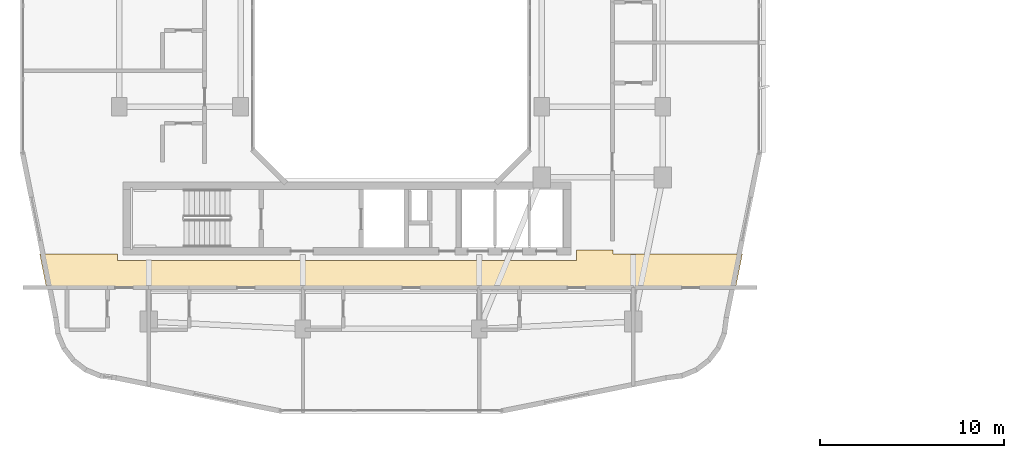
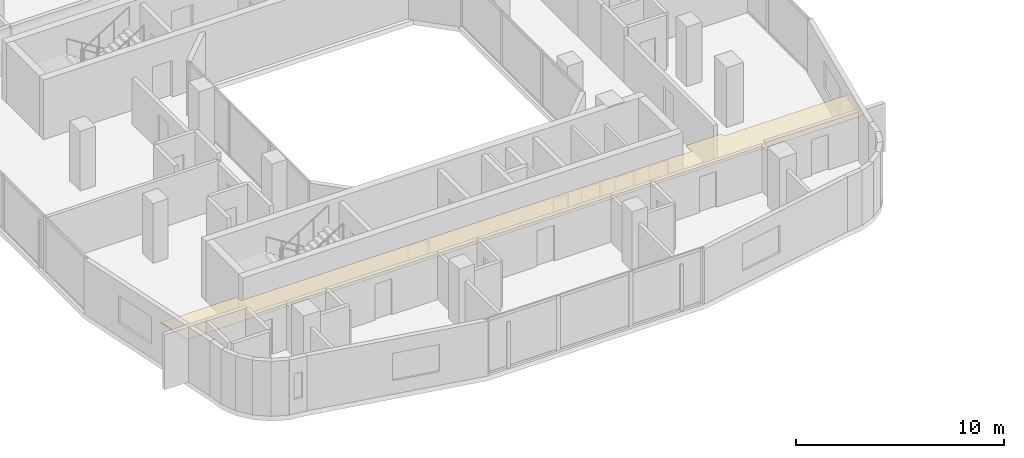
# One storey, part 23 of 26: 1 covering.
"""IFC4 building model written with IfcOpenShell, lengths in metres."""

import ifcopenshell
import ifcopenshell.guid

model = None  # the IFC model being written
_history = None  # IfcOwnerHistory: only IFC2X3 demands one
_inside = {}  # id of a spatial element -> (the spatial element, [elements in it])
_under = {}  # id of a project, library or spatial element -> (it, [spatial elements below it])
_declared = {}  # id of a project -> (the project, [libraries it declares])
_typed = {}  # id of a type object -> (the type object, [elements of that type])
_made_of = {}  # id of a material, layer set ... -> (it, [elements and type objects made of it])


def new_model(schema):
    """Start an empty IFC model of exactly this schema.

    Asked for "IFC4X3", IfcOpenShell would pick the latest addendum, in which some entities
    have other attributes; the version numbers below select the first issue.
    IFC2X3 requires an IfcOwnerHistory on every rooted entity: one is made here for all.
    """
    global model, _history
    if schema == "IFC4X3":
        model = ifcopenshell.file(schema_version=(4, 3, 0, 0))
    else:
        model = ifcopenshell.file(schema=schema)
    _inside.clear()
    _under.clear()
    _declared.clear()
    _typed.clear()
    _made_of.clear()
    _history = None
    if model.schema == "IFC2X3":
        org = make("IfcOrganization", Name="unknown")
        user = make(
            "IfcPersonAndOrganization",
            ThePerson=make("IfcPerson", FamilyName="unknown"),
            TheOrganization=org,
        )
        app = make(
            "IfcApplication",
            ApplicationDeveloper=org,
            Version="unknown",
            ApplicationFullName="unknown",
            ApplicationIdentifier="unknown",
        )
        _history = make(
            "IfcOwnerHistory",
            OwningUser=user,
            OwningApplication=app,
            ChangeAction="ADDED",
            CreationDate=0,
        )
    return model


def make(cls, **values):
    """One entity of the class cls with the attributes given. An attribute that is None is left unset."""
    return model.create_entity(
        cls, **{name: value for name, value in values.items() if value is not None}
    )


def rooted(cls, **values):
    """An entity with a GlobalId (a new one), such as an element, a storey or a relation."""
    return make(cls, GlobalId=ifcopenshell.guid.new(), OwnerHistory=_history, **values)


def si_unit(unit_type, name, prefix=None):
    """IfcSIUnit, for example si_unit("LENGTHUNIT", "METRE", prefix="MILLI")."""
    return make("IfcSIUnit", UnitType=unit_type, Prefix=prefix, Name=name)


def derived_unit(unit_type, elements):
    """IfcDerivedUnit: a product of units, each with its exponent."""
    return make(
        "IfcDerivedUnit",
        Elements=[
            make("IfcDerivedUnitElement", Unit=unit, Exponent=power)
            for unit, power in elements
        ],
        UnitType=unit_type,
    )


def assignment(units):
    """IfcUnitAssignment: the units of a project."""
    return None if units is None else make("IfcUnitAssignment", Units=units)


def point(xyz):
    """IfcCartesianPoint."""
    return None if xyz is None else make("IfcCartesianPoint", Coordinates=xyz)


def direction(xyz):
    """IfcDirection."""
    return None if xyz is None else make("IfcDirection", DirectionRatios=xyz)


def frame(location, z_axis=None, x_axis=None):
    """IfcAxis2Placement3D, a coordinate frame: its origin and axes. An axis left out is left unset."""
    return make(
        "IfcAxis2Placement3D",
        Location=point(location),
        Axis=direction(z_axis),
        RefDirection=direction(x_axis),
    )


def origin():
    """The frame at (0, 0, 0) with its axes left unset."""
    return frame((0.0, 0.0, 0.0))


def place(relative_to, where):
    """IfcLocalPlacement: puts the frame where relative to a parent placement (None: the world)."""
    return make(
        "IfcLocalPlacement", PlacementRelTo=relative_to, RelativePlacement=where
    )


def context(
    kind, dimensions, precision=None, world=None, true_north=None, identifier=None
):
    """IfcGeometricRepresentationContext, for example the 3D "Model" context."""
    return make(
        "IfcGeometricRepresentationContext",
        ContextIdentifier=identifier,
        ContextType=kind,
        CoordinateSpaceDimension=dimensions,
        Precision=precision,
        WorldCoordinateSystem=world,
        TrueNorth=true_north,
    )


def subcontext(parent, identifier, kind, view, scale=None):
    """IfcGeometricRepresentationSubContext, for example "Body" below "Model"."""
    return make(
        "IfcGeometricRepresentationSubContext",
        ContextIdentifier=identifier,
        ContextType=kind,
        ParentContext=parent,
        TargetScale=scale,
        TargetView=view,
    )


def project(units=None, contexts=None):
    """IfcProject with its units and contexts."""
    return rooted(
        "IfcProject",
        Name="project",
        RepresentationContexts=contexts,
        UnitsInContext=assignment(units),
    )


def spatial(cls, under=None, at=None, **own):
    """A site, building, storey or space (cls), placed at a placement, below another one or the project."""
    s = rooted(cls, ObjectPlacement=at, **own)
    if under is not None:
        _under.setdefault(under.id(), (under, []))[1].append(s)
    return s


def polyline(points):
    """IfcPolyline through the points."""
    return make("IfcPolyline", Points=[point(p) for p in points])


def outline(outer, holes=None, kind="AREA"):
    """IfcArbitraryClosedProfileDef: a profile drawn as a closed curve; with holes, ...WithVoids."""
    if holes is None:
        return make("IfcArbitraryClosedProfileDef", ProfileType=kind, OuterCurve=outer)
    return make(
        "IfcArbitraryProfileDefWithVoids",
        ProfileType=kind,
        OuterCurve=outer,
        InnerCurves=holes,
    )


def extrude(swept, where, along, depth):
    """IfcExtrudedAreaSolid: the profile swept, set in the frame where, extruded along a direction by depth."""
    return make(
        "IfcExtrudedAreaSolid",
        SweptArea=swept,
        Position=where,
        ExtrudedDirection=direction(along),
        Depth=depth,
    )


def shape(context_of_items, identifier, shape_type, items):
    """IfcShapeRepresentation: the items that make up one representation, for example the "Body"."""
    return make(
        "IfcShapeRepresentation",
        ContextOfItems=context_of_items,
        RepresentationIdentifier=identifier,
        RepresentationType=shape_type,
        Items=items,
    )


def material(Name=None, Category=None):
    """IfcMaterial."""
    return make("IfcMaterial", Name=Name, Category=Category)


def layer(
    of_material, thickness, ventilated=None, Name=None, Category=None, Priority=None
):
    """IfcMaterialLayer: one layer of a wall or slab, of a material (None: an air gap)."""
    return make(
        "IfcMaterialLayer",
        Material=of_material,
        LayerThickness=thickness,
        IsVentilated=ventilated,
        Name=Name,
        Category=Category,
        Priority=Priority,
    )


def layer_set(layers, Name=None):
    """IfcMaterialLayerSet."""
    return make("IfcMaterialLayerSet", MaterialLayers=layers, LayerSetName=Name)


def made_of(thing, what):
    """Note that an element or type object is made of a material, layer set ...; save() writes the relation."""
    if what is not None:
        _made_of.setdefault(what.id(), (what, []))[1].append(thing)
    return thing


def type_object(cls, material=None, **own):
    """A type object (cls), such as IfcWallType, which elements share."""
    return made_of(rooted(cls, **own), material)


def element(
    cls,
    number,
    at=None,
    inside=None,
    cuts=None,
    type_object=None,
    material=None,
    context=None,
    identifier="Body",
    shape_type=None,
    held_by="IfcProductDefinitionShape",
    body=None,
    shapes=None,
    **own,
):
    """One element of the class cls, such as IfcWall. Its Tag is "e" and its number.

    at: its placement. inside: the storey or other place that contains it. cuts: it is an
    opening in that element (IfcRelVoidsElement). A single representation is given by context,
    identifier, shape_type and body (its items); several are given by shapes. held_by: the class
    of the entity that holds the representations. save() writes the other relations.
    """
    e = rooted(cls, Tag="e%d" % number, ObjectPlacement=at, **own)
    if body is not None:
        shapes = [shape(context, identifier, shape_type, body)]
    if shapes is not None:
        e.Representation = make(held_by, Representations=shapes)
    if inside is not None:
        _inside.setdefault(inside.id(), (inside, []))[1].append(e)
    if cuts is not None:
        rooted(
            "IfcRelVoidsElement", RelatingBuildingElement=cuts, RelatedOpeningElement=e
        )
    if type_object is not None:
        _typed.setdefault(type_object.id(), (type_object, []))[1].append(e)
    return made_of(e, material)


def aggregate(whole, parts):
    """IfcRelAggregates: a whole, such as a stair, and the parts it consists of."""
    return rooted("IfcRelAggregates", RelatingObject=whole, RelatedObjects=parts)


def save(model, path):
    """Write the relations noted so far, then the file.

    IfcRelAggregates (storeys below a building ...), IfcRelContainedInSpatialStructure (elements
    in a storey), IfcRelDefinesByType, IfcRelAssociatesMaterial and IfcRelDeclares: one each for
    every whole, place, type object, material and project.
    """
    for whole, parts in _under.values():
        aggregate(whole, parts)
    for where, things in _inside.values():
        rooted(
            "IfcRelContainedInSpatialStructure",
            RelatedElements=things,
            RelatingStructure=where,
        )
    for kind, things in _typed.values():
        rooted("IfcRelDefinesByType", RelatedObjects=things, RelatingType=kind)
    for what, things in _made_of.values():
        rooted("IfcRelAssociatesMaterial", RelatedObjects=things, RelatingMaterial=what)
    for by, libraries in _declared.values():
        rooted("IfcRelDeclares", RelatingContext=by, RelatedDefinitions=libraries)
    model.write(path)


model = new_model("IFC4")

# Units and contexts
model_context = context("Model", 3, precision=1e-05, world=origin(), true_north=direction((0.0, 1.0)))
body_context = subcontext(model_context, "Body", "Model", "MODEL_VIEW")
ifc_project = project(units=[si_unit("LENGTHUNIT", "METRE"), si_unit("AREAUNIT", "SQUARE_METRE"), si_unit("VOLUMEUNIT", "CUBIC_METRE"), si_unit("PLANEANGLEUNIT", "RADIAN"), si_unit("MASSUNIT", "GRAM", prefix="KILO"), derived_unit("THERMALTRANSMITTANCEUNIT", [(si_unit("POWERUNIT", "WATT"), 1), (si_unit("LENGTHUNIT", "METRE"), -2), (si_unit("THERMODYNAMICTEMPERATUREUNIT", "KELVIN"), -1)])], contexts=[model_context])

# Site, building, storey
site_placement = place(None, origin())
site = spatial("IfcSite", under=ifc_project, at=site_placement, CompositionType="ELEMENT")
building_placement = place(site_placement, origin())
building = spatial("IfcBuilding", under=site, at=building_placement, Name="Kivonza Crest Hotel", CompositionType="ELEMENT")
storey_placement = place(building_placement, frame((0.0, 0.0, 127.5)))
storey = spatial("IfcBuildingStorey", under=building, at=storey_placement, Name="L34", CompositionType="ELEMENT", Elevation=127.5)

# Covering
ifc_material = material(Name="Mineral-fibre acoustic ceiling tile", Category="gypsum")
ifc_layer = layer(ifc_material, 0.02490234375)
ifc_layer_set = layer_set([ifc_layer], Name="Mineral-fibre acoustic ceiling tile")
covering_type = type_object("IfcCoveringType", Name="CV-CEIL-ACOU", PredefinedType="CEILING", material=ifc_layer_set)
covering_placement = place(storey_placement, frame((0.0, 0.0, 2.449951171875)))
element("IfcCovering", 1, at=covering_placement, inside=storey, type_object=covering_type, Name="L34 Hotel South Guest Corridor suspended ceiling", PredefinedType="CEILING", context=body_context, shape_type="SweptSolid", body=[
    extrude(outline(polyline([(33.090087890625, 13.47998046875), (33.090087890625, 13.68994140625), (31.10009765625, 13.68994140625), (31.10009765625, 13.139892578125), (6.10009765625, 13.139892578125), (6.10009765625, 13.47998046875), (1.85791015625, 13.47998046875), (2.235107421875, 11.610107421875), (39.764892578125, 11.610107421875), (40.14208984375, 13.47998046875), (33.090087890625, 13.47998046875)])), origin(), (0.0, 0.0, 1.0), 0.025146484375),
])

save(model, "model.ifc")
